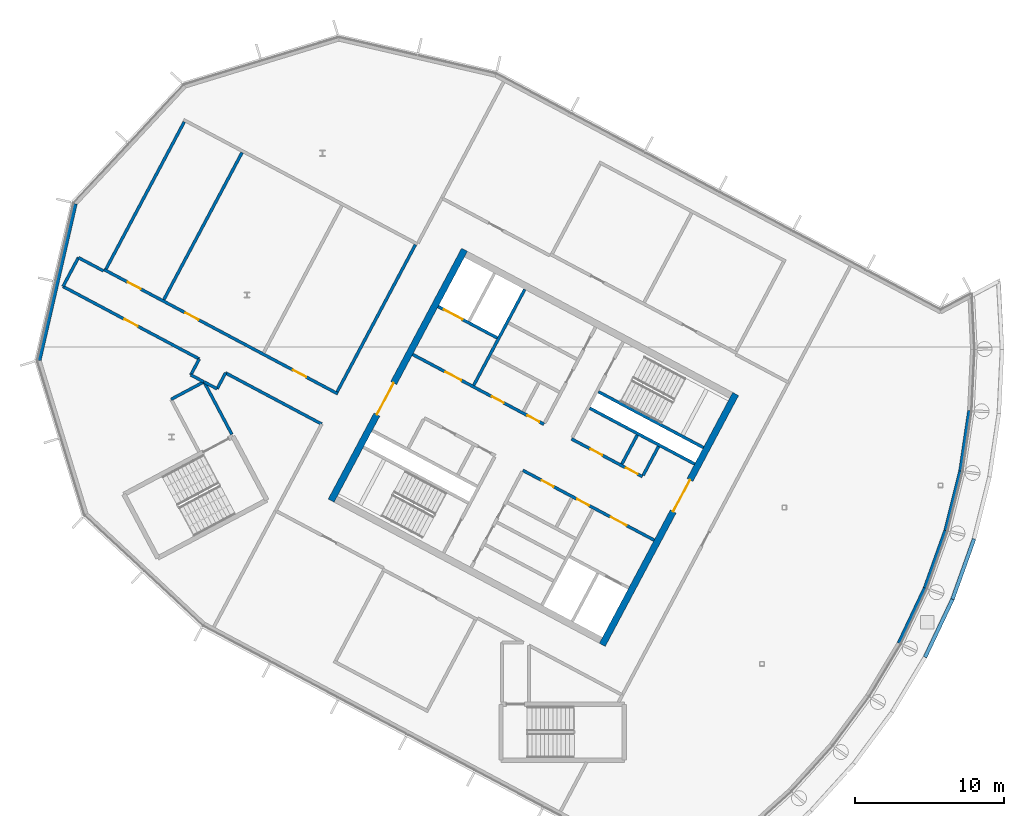
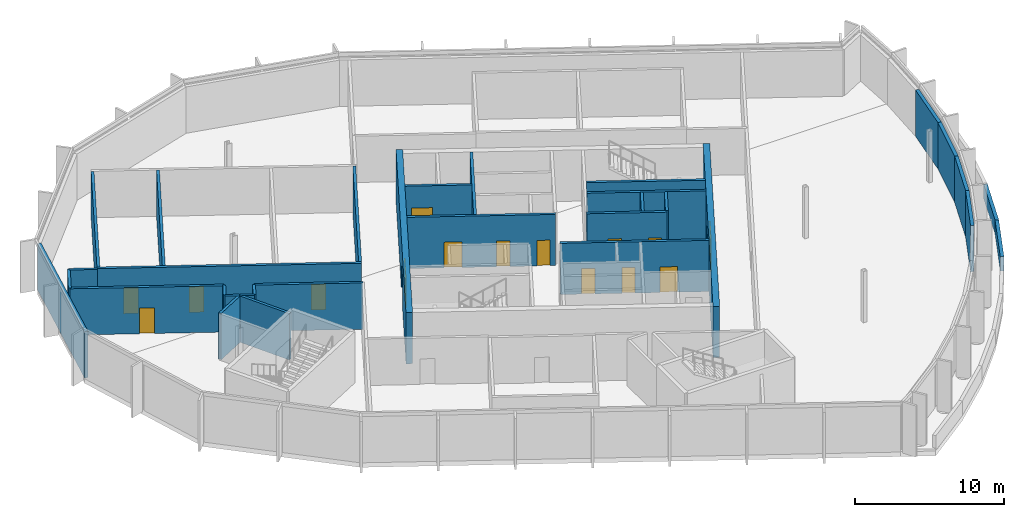
# One storey, part 7 of 15: 32 walls, 15 doors, 15 openings.
"""IFC4 building model written with IfcOpenShell, lengths in metres."""

from ifc_helpers import new_model, si_unit, direction, frame, frame_2d, origin, place, context, subcontext, project, spatial, rectangle, extrude, material, layer, layer_set, type_object, element, fill, save


model = new_model("IFC4")

# Units and contexts
model_context = context("Model", 3, precision=1e-05, world=origin(), true_north=direction((0.0, 1.0)))
body_context = subcontext(model_context, "Body", "Model", "MODEL_VIEW")
ifc_project = project(units=[si_unit("LENGTHUNIT", "METRE"), si_unit("AREAUNIT", "SQUARE_METRE"), si_unit("VOLUMEUNIT", "CUBIC_METRE"), si_unit("PLANEANGLEUNIT", "RADIAN"), si_unit("MASSUNIT", "GRAM", prefix="KILO")], contexts=[model_context])

# Site, building, storey
site_placement = place(None, origin())
site = spatial("IfcSite", under=ifc_project, at=site_placement, CompositionType="ELEMENT")
building_placement = place(site_placement, origin())
building = spatial("IfcBuilding", under=site, at=building_placement, Name="Cormorant Relay Tower", CompositionType="ELEMENT")
storey_placement = place(building_placement, frame((0.0, 0.0, 336.60009765625)))
storey = spatial("IfcBuildingStorey", under=building, at=storey_placement, Name="C3", CompositionType="ELEMENT", Elevation=336.60009765625)

# Walls
ifc_material_1 = material(Name="Concrete 40 MPa", Category="concrete")
ifc_layer_1 = layer(ifc_material_1, 0.199951171875)
ifc_layer_set_1 = layer_set([ifc_layer_1], Name="Core internal wall 200")
wall_type_1 = type_object("IfcWallType", Name="Core internal wall 200", PredefinedType="SOLIDWALL", material=ifc_layer_set_1)
wall_1_placement = place(storey_placement, frame((-20.39013671875, 15.371826171875, 0.0), z_axis=(0.0, 0.0, 1.0), x_axis=(-0.4694473164, -0.882960484464, 0.0)))
element("IfcWall", 1, at=wall_1_placement, inside=storey, type_object=wall_type_1, Name="C3 core A shaft and room wall", PredefinedType="SOLIDWALL", context=body_context, shape_type="SweptSolid", body=[
    extrude(rectangle(XDim=2.199951171875, YDim=0.199951171875, at=frame_2d((1.10009765625, 0.0))), origin(), (0.0, 0.0, 1.0), 4.199951171875),
])
ifc_material_2 = material(Name="Concrete 50 MPa", Category="concrete")
ifc_layer_2 = layer(ifc_material_2, 0.199951171875)
ifc_layer_set_2 = layer_set([ifc_layer_2], Name="Core shaft wall 200")
wall_type_2 = type_object("IfcWallType", Name="Core shaft wall 200", PredefinedType="SHEAR", material=ifc_layer_set_2)
wall_2_placement = place(storey_placement, frame((-18.959716796875, 14.611328125, 0.0), z_axis=(0.0, 0.0, 1.0), x_axis=(-0.4694473164, -0.882960484464, 0.0)))
element("IfcWall", 2, at=wall_2_placement, inside=storey, type_object=wall_type_2, Name="C3 core A shaft wall", PredefinedType="SHEAR", context=body_context, shape_type="SweptSolid", body=[
    extrude(rectangle(XDim=2.199951171875, YDim=0.199951171875, at=frame_2d((1.10009765625, 0.0))), origin(), (0.0, 0.0, 1.0), 4.199951171875),
])
wall_3_placement = place(storey_placement, frame((-27.955322265625, 25.170654296875, 0.0), z_axis=(0.0, 0.0, 1.0), x_axis=(-0.469480409012, -0.88294288918, 0.0)))
element("IfcWall", 3, at=wall_3_placement, inside=storey, type_object=wall_type_2, Name="C3 core A shaft wall", PredefinedType="SHEAR", context=body_context, shape_type="SweptSolid", body=[
    extrude(rectangle(XDim=7.300048828125, YDim=0.199951171875, at=frame_2d((3.64990234375, 0.0))), origin(), (0.0, 0.0, 1.0), 4.199951171875),
])
wall_4_placement = place(storey_placement, frame((-15.94189453125, 14.53564453125, 0.0), z_axis=(0.0, 0.0, 1.0), x_axis=(-0.882946947542, 0.469472776449, 0.0)))
element("IfcWall", 4, at=wall_4_placement, inside=storey, type_object=wall_type_2, Name="C3 core A shaft wall", PredefinedType="SHEAR", context=body_context, shape_type="SweptSolid", body=[
    extrude(rectangle(XDim=8.000244140625, YDim=0.199951171875, at=frame_2d((4.0, 0.0))), origin(), (0.0, 0.0, 1.0), 4.199951171875),
])

# Wall, opening, door
wall_5_placement = place(storey_placement, frame((-29.80419921875, 21.906494140625, 0.0), z_axis=(0.0, 0.0, 1.0), x_axis=(-0.882960433586, 0.469447412093, 0.0)))
wall_5 = element("IfcWall", 5, at=wall_5_placement, inside=storey, type_object=wall_type_2, Name="C3 core A shaft wall", PredefinedType="SHEAR", context=body_context, shape_type="SweptSolid", body=[
    extrude(rectangle(XDim=4.5, YDim=0.199951171875, at=frame_2d((2.25, 0.0))), origin(), (0.0, 0.0, 1.0), 4.199951171875),
])
opening_1_placement = place(wall_5_placement, frame((2.64990234375, 0.0, 0.0)))
opening_1 = element("IfcOpeningElement", 6, at=opening_1_placement, cuts=wall_5, Name="Opening LD3-017", PredefinedType="OPENING", context=body_context, shape_type="SweptSolid", body=[
    extrude(rectangle(XDim=1.39990234375, YDim=2.39990234375, at=frame_2d((0.699951171875, 1.199951171875))), frame((0.0, 0.10986328125, 0.0), z_axis=(0.0, -1.0, 0.0), x_axis=(1.0, 0.0, 0.0)), (0.0, 0.0, 1.0), 0.219970703125),
])
ifc_material_3 = material(Name="Stainless steel 316", Category="steel")
door_type_1 = type_object("IfcDoorType", Name="Lift landing door 1400x2400", OperationType="DOUBLE_DOOR_SLIDING", PredefinedType="DOOR", material=ifc_material_3)
door_1_placement = place(opening_1_placement, origin())
door_1 = element("IfcDoor", 7, at=door_1_placement, inside=storey, type_object=door_type_1, Name="SV1 landing door", OperationType="DOUBLE_DOOR_SLIDING", OverallHeight=2.39990234375, OverallWidth=1.39990234375, PredefinedType="DOOR", context=body_context, shape_type="SweptSolid", body=[
    extrude(rectangle(XDim=1.39990234375, YDim=2.39990234375, at=frame_2d((0.699951171875, 1.199951171875))), frame((0.0, 0.02490234375, 0.0), z_axis=(0.0, -1.0, 0.0), x_axis=(1.0, 0.0, 0.0)), (0.0, 0.0, 1.0), 0.050048828125),
])
fill(opening_1, door_1)

# Wall
wall_6_placement = place(storey_placement, frame((-16.52880859375, 13.43212890625, 0.0), z_axis=(0.0, 0.0, 1.0), x_axis=(-0.88295287151, 0.469461634952, 0.0)))
element("IfcWall", 8, at=wall_6_placement, inside=storey, type_object=wall_type_2, Name="C3 core A shaft wall", PredefinedType="SHEAR", context=body_context, shape_type="SweptSolid", body=[
    extrude(rectangle(XDim=7.999755859375, YDim=0.199951171875, at=frame_2d((4.0, 0.0))), origin(), (0.0, 0.0, 1.0), 4.199951171875),
])

# Wall, openings, doors
wall_7_placement = place(storey_placement, frame((-20.03955078125, 12.58056640625, 0.0), z_axis=(0.0, 0.0, 1.0), x_axis=(-0.882942972946, 0.469480251476, 0.0)))
wall_7 = element("IfcWall", 9, at=wall_7_placement, inside=storey, type_object=wall_type_2, Name="C3 core A shaft wall", PredefinedType="SHEAR", context=body_context, shape_type="SweptSolid", body=[
    extrude(rectangle(XDim=5.39990234375, YDim=0.199951171875, at=frame_2d((2.699951171875, 0.0))), origin(), (0.0, 0.0, 1.0), 4.199951171875),
])
opening_2_placement = place(wall_7_placement, frame((0.360107421875, 0.0, 0.0)))
opening_2 = element("IfcOpeningElement", 10, at=opening_2_placement, cuts=wall_7, Name="Opening CDD-356", PredefinedType="OPENING", context=body_context, shape_type="SweptSolid", body=[
    extrude(rectangle(XDim=0.89990234375, YDim=2.10009765625, at=frame_2d((0.449951171875, 1.050048828125))), frame((0.0, 0.10986328125, 0.0), z_axis=(0.0, -1.0, 0.0), x_axis=(1.0, 0.0, 0.0)), (0.0, 0.0, 1.0), 0.219970703125),
])
opening_3_placement = place(wall_7_placement, frame((3.06005859375, 0.0, 0.0)))
opening_3 = element("IfcOpeningElement", 11, at=opening_3_placement, cuts=wall_7, Name="Opening CDD-357", PredefinedType="OPENING", context=body_context, shape_type="SweptSolid", body=[
    extrude(rectangle(XDim=0.89990234375, YDim=2.10009765625, at=frame_2d((0.449951171875, 1.050048828125))), frame((0.0, 0.10986328125, 0.0), z_axis=(0.0, -1.0, 0.0), x_axis=(1.0, 0.0, 0.0)), (0.0, 0.0, 1.0), 0.219970703125),
])
ifc_material_4 = material(Name="Steel fire door", Category="steel")
door_type_2 = type_object("IfcDoorType", Name="Core room door 900x2100", OperationType="SINGLE_SWING_LEFT", PredefinedType="DOOR", material=ifc_material_4)
door_2_placement = place(opening_2_placement, frame((0.89990234375, 0.0, 0.0), z_axis=(0.0, 0.0, 1.0), x_axis=(-1.0, 0.0, 0.0)))
door_2 = element("IfcDoor", 12, at=door_2_placement, inside=storey, type_object=door_type_2, Name="Core room door 900x2100", OperationType="SINGLE_SWING_RIGHT", OverallHeight=2.10009765625, OverallWidth=0.89990234375, PredefinedType="DOOR", context=body_context, shape_type="SweptSolid", body=[
    extrude(rectangle(XDim=0.89990234375, YDim=2.10009765625, at=frame_2d((0.449951171875, 1.050048828125))), frame((0.0, 0.02490234375, 0.0), z_axis=(0.0, -1.0, 0.0), x_axis=(1.0, 0.0, 0.0)), (0.0, 0.0, 1.0), 0.050048828125),
])
fill(opening_2, door_2)
door_3_placement = place(opening_3_placement, frame((0.89990234375, 0.0, 0.0), z_axis=(0.0, 0.0, 1.0), x_axis=(-1.0, 0.0, 0.0)))
door_3 = element("IfcDoor", 13, at=door_3_placement, inside=storey, type_object=door_type_2, Name="Core room door 900x2100", OperationType="SINGLE_SWING_RIGHT", OverallHeight=2.10009765625, OverallWidth=0.89990234375, PredefinedType="DOOR", context=body_context, shape_type="SweptSolid", body=[
    extrude(rectangle(XDim=0.89990234375, YDim=2.10009765625, at=frame_2d((0.449951171875, 1.050048828125))), frame((0.0, 0.02490234375, 0.0), z_axis=(0.0, -1.0, 0.0), x_axis=(1.0, 0.0, 0.0)), (0.0, 0.0, 1.0), 0.050048828125),
])
fill(opening_3, door_3)

wall_8_placement = place(storey_placement, frame((-26.66162109375, 16.1015625, 0.0), z_axis=(0.0, 0.0, 1.0), x_axis=(-0.882940221191, 0.469485426614, 0.0)))
wall_8 = element("IfcWall", 14, at=wall_8_placement, inside=storey, type_object=wall_type_2, Name="C3 core A shaft wall", PredefinedType="SHEAR", context=body_context, shape_type="SweptSolid", body=[
    extrude(rectangle(XDim=10.0, YDim=0.199951171875, at=frame_2d((5.0, 0.0))), origin(), (0.0, 0.0, 1.0), 4.199951171875),
])
opening_4_placement = place(wall_8_placement, frame((6.300048828125, 0.0, 0.0)))
opening_4 = element("IfcOpeningElement", 15, at=opening_4_placement, cuts=wall_8, Name="Opening CDC-041", PredefinedType="OPENING", context=body_context, shape_type="SweptSolid", body=[
    extrude(rectangle(XDim=1.199951171875, YDim=2.10009765625, at=frame_2d((0.60009765625, 1.050048828125))), frame((0.0, 0.10986328125, 0.0), z_axis=(0.0, -1.0, 0.0), x_axis=(1.0, 0.0, 0.0)), (0.0, 0.0, 1.0), 0.219970703125),
])
opening_5_placement = place(wall_8_placement, frame((0.360107421875, 0.0, 0.0)))
opening_5 = element("IfcOpeningElement", 16, at=opening_5_placement, cuts=wall_8, Name="Opening CDD-375", PredefinedType="OPENING", context=body_context, shape_type="SweptSolid", body=[
    extrude(rectangle(XDim=0.89990234375, YDim=2.10009765625, at=frame_2d((0.449951171875, 1.050048828125))), frame((0.0, 0.10986328125, 0.0), z_axis=(0.0, -1.0, 0.0), x_axis=(1.0, 0.0, 0.0)), (0.0, 0.0, 1.0), 0.219970703125),
])
opening_6_placement = place(wall_8_placement, frame((3.06005859375, 0.0, 0.0)))
opening_6 = element("IfcOpeningElement", 17, at=opening_6_placement, cuts=wall_8, Name="Opening CDD-376", PredefinedType="OPENING", context=body_context, shape_type="SweptSolid", body=[
    extrude(rectangle(XDim=0.89990234375, YDim=2.10009765625, at=frame_2d((0.449951171875, 1.050048828125))), frame((0.0, 0.10986328125, 0.0), z_axis=(0.0, -1.0, 0.0), x_axis=(1.0, 0.0, 0.0)), (0.0, 0.0, 1.0), 0.219970703125),
])
ifc_material_5 = material(Name="Steel fire door", Category="steel")
door_type_3 = type_object("IfcDoorType", Name="Core lobby door 1200x2100", OperationType="SINGLE_SWING_LEFT", PredefinedType="DOOR", material=ifc_material_5)
door_4_placement = place(opening_4_placement, origin())
door_4 = element("IfcDoor", 18, at=door_4_placement, inside=storey, type_object=door_type_3, Name="Core lobby door 1200x2100", OperationType="SINGLE_SWING_LEFT", OverallHeight=2.10009765625, OverallWidth=1.199951171875, PredefinedType="DOOR", context=body_context, shape_type="SweptSolid", body=[
    extrude(rectangle(XDim=1.199951171875, YDim=2.10009765625, at=frame_2d((0.60009765625, 1.050048828125))), frame((0.0, 0.02490234375, 0.0), z_axis=(0.0, -1.0, 0.0), x_axis=(1.0, 0.0, 0.0)), (0.0, 0.0, 1.0), 0.050048828125),
])
fill(opening_4, door_4)
door_5_placement = place(opening_5_placement, frame((0.89990234375, 0.0, 0.0), z_axis=(0.0, 0.0, 1.0), x_axis=(-1.0, 0.0, 0.0)))
door_5 = element("IfcDoor", 19, at=door_5_placement, inside=storey, type_object=door_type_2, Name="Core room door 900x2100", OperationType="SINGLE_SWING_RIGHT", OverallHeight=2.10009765625, OverallWidth=0.89990234375, PredefinedType="DOOR", context=body_context, shape_type="SweptSolid", body=[
    extrude(rectangle(XDim=0.89990234375, YDim=2.10009765625, at=frame_2d((0.449951171875, 1.050048828125))), frame((0.0, 0.02490234375, 0.0), z_axis=(0.0, -1.0, 0.0), x_axis=(1.0, 0.0, 0.0)), (0.0, 0.0, 1.0), 0.050048828125),
])
fill(opening_5, door_5)
door_6_placement = place(opening_6_placement, origin())
door_6 = element("IfcDoor", 20, at=door_6_placement, inside=storey, type_object=door_type_2, Name="Core room door 900x2100", OperationType="SINGLE_SWING_LEFT", OverallHeight=2.10009765625, OverallWidth=0.89990234375, PredefinedType="DOOR", context=body_context, shape_type="SweptSolid", body=[
    extrude(rectangle(XDim=0.89990234375, YDim=2.10009765625, at=frame_2d((0.449951171875, 1.050048828125))), frame((0.0, 0.02490234375, 0.0), z_axis=(0.0, -1.0, 0.0), x_axis=(1.0, 0.0, 0.0)), (0.0, 0.0, 1.0), 0.050048828125),
])
fill(opening_6, door_6)

wall_9_placement = place(storey_placement, frame((-19.251708984375, 8.31103515625, 0.0), z_axis=(0.0, 0.0, 1.0), x_axis=(-0.882955722218, 0.469456273365, 0.0)))
wall_9 = element("IfcWall", 21, at=wall_9_placement, inside=storey, type_object=wall_type_2, Name="C3 core A shaft wall", PredefinedType="SHEAR", context=body_context, shape_type="SweptSolid", body=[
    extrude(rectangle(XDim=10.0, YDim=0.199951171875, at=frame_2d((5.0, 0.0))), origin(), (0.0, 0.0, 1.0), 4.199951171875),
])
opening_7_placement = place(wall_9_placement, frame((2.10009765625, 0.0, 0.0)))
opening_7 = element("IfcOpeningElement", 22, at=opening_7_placement, cuts=wall_9, Name="Opening CDC-040", PredefinedType="OPENING", context=body_context, shape_type="SweptSolid", body=[
    extrude(rectangle(XDim=1.199951171875, YDim=2.10009765625, at=frame_2d((0.60009765625, 1.050048828125))), frame((0.0, 0.10986328125, 0.0), z_axis=(0.0, -1.0, 0.0), x_axis=(1.0, 0.0, 0.0)), (0.0, 0.0, 1.0), 0.219970703125),
])
opening_8_placement = place(wall_9_placement, frame((4.9599609375, 0.0, 0.0)))
opening_8 = element("IfcOpeningElement", 23, at=opening_8_placement, cuts=wall_9, Name="Opening CDD-372", PredefinedType="OPENING", context=body_context, shape_type="SweptSolid", body=[
    extrude(rectangle(XDim=0.89990234375, YDim=2.10009765625, at=frame_2d((0.449951171875, 1.050048828125))), frame((0.0, 0.10986328125, 0.0), z_axis=(0.0, -1.0, 0.0), x_axis=(1.0, 0.0, 0.0)), (0.0, 0.0, 1.0), 0.219970703125),
])
opening_9_placement = place(wall_9_placement, frame((7.659912109375, 0.0, 0.0)))
opening_9 = element("IfcOpeningElement", 24, at=opening_9_placement, cuts=wall_9, Name="Opening CDD-373", PredefinedType="OPENING", context=body_context, shape_type="SweptSolid", body=[
    extrude(rectangle(XDim=0.89990234375, YDim=2.10009765625, at=frame_2d((0.449951171875, 1.050048828125))), frame((0.0, 0.10986328125, 0.0), z_axis=(0.0, -1.0, 0.0), x_axis=(1.0, 0.0, 0.0)), (0.0, 0.0, 1.0), 0.219970703125),
])
door_7_placement = place(opening_7_placement, origin())
door_7 = element("IfcDoor", 25, at=door_7_placement, inside=storey, type_object=door_type_3, Name="Core lobby door 1200x2100", OperationType="SINGLE_SWING_RIGHT", OverallHeight=2.10009765625, OverallWidth=1.199951171875, PredefinedType="DOOR", context=body_context, shape_type="SweptSolid", body=[
    extrude(rectangle(XDim=1.199951171875, YDim=2.10009765625, at=frame_2d((0.60009765625, 1.050048828125))), frame((0.0, 0.02490234375, 0.0), z_axis=(0.0, -1.0, 0.0), x_axis=(1.0, 0.0, 0.0)), (0.0, 0.0, 1.0), 0.050048828125),
])
fill(opening_7, door_7)
door_8_placement = place(opening_8_placement, origin())
door_8 = element("IfcDoor", 26, at=door_8_placement, inside=storey, type_object=door_type_2, Name="Core room door 900x2100", OperationType="SINGLE_SWING_LEFT", OverallHeight=2.10009765625, OverallWidth=0.89990234375, PredefinedType="DOOR", context=body_context, shape_type="SweptSolid", body=[
    extrude(rectangle(XDim=0.89990234375, YDim=2.10009765625, at=frame_2d((0.449951171875, 1.050048828125))), frame((0.0, 0.02490234375, 0.0), z_axis=(0.0, -1.0, 0.0), x_axis=(1.0, 0.0, 0.0)), (0.0, 0.0, 1.0), 0.050048828125),
])
fill(opening_8, door_8)
door_9_placement = place(opening_9_placement, origin())
door_9 = element("IfcDoor", 27, at=door_9_placement, inside=storey, type_object=door_type_2, Name="Core room door 900x2100", OperationType="SINGLE_SWING_LEFT", OverallHeight=2.10009765625, OverallWidth=0.89990234375, PredefinedType="DOOR", context=body_context, shape_type="SweptSolid", body=[
    extrude(rectangle(XDim=0.89990234375, YDim=2.10009765625, at=frame_2d((0.449951171875, 1.050048828125))), frame((0.0, 0.02490234375, 0.0), z_axis=(0.0, -1.0, 0.0), x_axis=(1.0, 0.0, 0.0)), (0.0, 0.0, 1.0), 0.050048828125),
])
fill(opening_9, door_9)

# Wall, opening, door
ifc_material_6 = material(Name="Concrete 50 MPa", Category="concrete")
ifc_layer_3 = layer(ifc_material_6, 0.449951171875)
ifc_layer_set_3 = layer_set([ifc_layer_3], Name="Core wall 450")
wall_type_3 = type_object("IfcWallType", Name="Core wall 450", PredefinedType="SHEAR", material=ifc_layer_set_3)
wall_10_placement = place(storey_placement, frame((-13.771484375, 18.138427734375, 0.0), z_axis=(0.0, 0.0, 1.0), x_axis=(-0.469467968382, -0.882949504028, 0.0)))
wall_10 = element("IfcWall", 28, at=wall_10_placement, inside=storey, type_object=wall_type_3, Name="C3 core A wall", PredefinedType="SHEAR", context=body_context, shape_type="SweptSolid", body=[
    extrude(rectangle(XDim=19.099853515625, YDim=0.449951171875, at=frame_2d((9.5498046875, 0.0))), origin(), (0.0, 0.0, 1.0), 4.199951171875),
])
opening_10_placement = place(wall_10_placement, frame((6.550048828125, 0.0, 0.0)))
opening_10 = element("IfcOpeningElement", 29, at=opening_10_placement, cuts=wall_10, Name="Opening CDA-060", PredefinedType="OPENING", context=body_context, shape_type="SweptSolid", body=[
    extrude(rectangle(XDim=2.39990234375, YDim=2.39990234375, at=frame_2d((1.199951171875, 1.199951171875))), frame((0.0, 0.23486328125, 0.0), z_axis=(0.0, -1.0, 0.0), x_axis=(1.0, 0.0, 0.0)), (0.0, 0.0, 1.0), 0.469970703125),
])
ifc_material_7 = material(Name="Steel fire door", Category="steel")
door_type_4 = type_object("IfcDoorType", Name="Core lobby door 2400x2400", OperationType="DOUBLE_DOOR_SINGLE_SWING", PredefinedType="DOOR", material=ifc_material_7)
door_10_placement = place(opening_10_placement, origin())
door_10 = element("IfcDoor", 30, at=door_10_placement, inside=storey, type_object=door_type_4, Name="Core lobby door 2400x2400", OperationType="DOUBLE_DOOR_SINGLE_SWING", OverallHeight=2.39990234375, OverallWidth=2.39990234375, PredefinedType="DOOR", context=body_context, shape_type="SweptSolid", body=[
    extrude(rectangle(XDim=2.39990234375, YDim=2.39990234375, at=frame_2d((1.199951171875, 1.199951171875))), frame((0.0, 0.02490234375, 0.0), z_axis=(0.0, -1.0, 0.0), x_axis=(1.0, 0.0, 0.0)), (0.0, 0.0, 1.0), 0.050048828125),
])
fill(opening_10, door_10)

wall_11_placement = place(storey_placement, frame((-32.00439453125, 27.8330078125, 0.0), z_axis=(0.0, 0.0, 1.0), x_axis=(-0.469467968382, -0.882949504028, 0.0)))
wall_11 = element("IfcWall", 31, at=wall_11_placement, inside=storey, type_object=wall_type_3, Name="C3 core A wall", PredefinedType="SHEAR", context=body_context, shape_type="SweptSolid", body=[
    extrude(rectangle(XDim=19.099853515625, YDim=0.449951171875, at=frame_2d((9.5498046875, 0.0))), origin(), (0.0, 0.0, 1.0), 4.199951171875),
])
opening_11_placement = place(wall_11_placement, frame((10.14990234375, 0.0, 0.0)))
opening_11 = element("IfcOpeningElement", 32, at=opening_11_placement, cuts=wall_11, Name="Opening CDA-059", PredefinedType="OPENING", context=body_context, shape_type="SweptSolid", body=[
    extrude(rectangle(XDim=2.39990234375, YDim=2.39990234375, at=frame_2d((1.199951171875, 1.199951171875))), frame((0.0, 0.23486328125, 0.0), z_axis=(0.0, -1.0, 0.0), x_axis=(1.0, 0.0, 0.0)), (0.0, 0.0, 1.0), 0.469970703125),
])
door_11_placement = place(opening_11_placement, origin())
door_11 = element("IfcDoor", 33, at=door_11_placement, inside=storey, type_object=door_type_4, Name="Core lobby door 2400x2400", OperationType="DOUBLE_DOOR_SINGLE_SWING", OverallHeight=2.39990234375, OverallWidth=2.39990234375, PredefinedType="DOOR", context=body_context, shape_type="SweptSolid", body=[
    extrude(rectangle(XDim=2.39990234375, YDim=2.39990234375, at=frame_2d((1.199951171875, 1.199951171875))), frame((0.0, 0.02490234375, 0.0), z_axis=(0.0, -1.0, 0.0), x_axis=(1.0, 0.0, 0.0)), (0.0, 0.0, 1.0), 0.050048828125),
])
fill(opening_11, door_11)

# Wall, openings, doors
ifc_material_8 = material(Name="Concrete 30 MPa block wall", Category="concrete")
ifc_layer_4 = layer(ifc_material_8, 0.199951171875)
ifc_layer_set_4 = layer_set([ifc_layer_4], Name="Crown plant room wall 200")
wall_type_4 = type_object("IfcWallType", Name="Crown plant room wall 200", PredefinedType="PARTITIONING", material=ifc_layer_set_4)
wall_12_placement = place(storey_placement, frame((-40.52294921875, 18.148681640625, 0.0), z_axis=(0.0, 0.0, 1.0), x_axis=(-0.882946425434, 0.469473758387, 0.0)))
wall_12 = element("IfcWall", 34, at=wall_12_placement, inside=storey, type_object=wall_type_4, Name="Plant room wall", PredefinedType="PARTITIONING", context=body_context, shape_type="SweptSolid", body=[
    extrude(rectangle(XDim=17.800048828125, YDim=0.199951171875, at=frame_2d((8.89990234375, 0.0))), origin(), (0.0, 0.0, 1.0), 3.7998046875),
])
opening_12_placement = place(wall_12_placement, frame((2.39990234375, 0.0, 0.0)))
opening_12 = element("IfcOpeningElement", 35, at=opening_12_placement, cuts=wall_12, Name="Opening CRD1-003", PredefinedType="OPENING", context=body_context, shape_type="SweptSolid", body=[
    extrude(rectangle(XDim=1.0, YDim=2.10009765625, at=frame_2d((0.5, 1.050048828125))), frame((0.0, 0.10986328125, 0.0), z_axis=(0.0, -1.0, 0.0), x_axis=(1.0, 0.0, 0.0)), (0.0, 0.0, 1.0), 0.219970703125),
])
opening_13_placement = place(wall_12_placement, frame((10.60009765625, 0.0, 0.0)))
opening_13 = element("IfcOpeningElement", 36, at=opening_13_placement, cuts=wall_12, Name="Opening CRD1-004", PredefinedType="OPENING", context=body_context, shape_type="SweptSolid", body=[
    extrude(rectangle(XDim=1.0, YDim=2.10009765625, at=frame_2d((0.5, 1.050048828125))), frame((0.0, 0.10986328125, 0.0), z_axis=(0.0, -1.0, 0.0), x_axis=(1.0, 0.0, 0.0)), (0.0, 0.0, 1.0), 0.219970703125),
])
opening_14_placement = place(wall_12_placement, frame((15.0, 0.0, 0.0)))
opening_14 = element("IfcOpeningElement", 37, at=opening_14_placement, cuts=wall_12, Name="Opening CRD1-005", PredefinedType="OPENING", context=body_context, shape_type="SweptSolid", body=[
    extrude(rectangle(XDim=1.0, YDim=2.10009765625, at=frame_2d((0.5, 1.050048828125))), frame((0.0, 0.10986328125, 0.0), z_axis=(0.0, -1.0, 0.0), x_axis=(1.0, 0.0, 0.0)), (0.0, 0.0, 1.0), 0.219970703125),
])
ifc_material_9 = material(Name="Galvanised sheet steel ASTM A653 framed door leaf", Category="steel")
door_type_5 = type_object("IfcDoorType", Name="Crown door single 1000", OperationType="SINGLE_SWING_LEFT", PredefinedType="DOOR", material=ifc_material_9)
door_12_placement = place(opening_12_placement, frame((1.0, 0.0, 0.0), z_axis=(0.0, 0.0, 1.0), x_axis=(-1.0, 0.0, 0.0)))
door_12 = element("IfcDoor", 38, at=door_12_placement, inside=storey, type_object=door_type_5, Name="Radio frequency room door", OperationType="SINGLE_SWING_RIGHT", OverallHeight=2.10009765625, OverallWidth=1.0, PredefinedType="DOOR", context=body_context, shape_type="SweptSolid", body=[
    extrude(rectangle(XDim=1.0, YDim=2.10009765625, at=frame_2d((0.5, 1.050048828125))), frame((0.0, 0.02490234375, 0.0), z_axis=(0.0, -1.0, 0.0), x_axis=(1.0, 0.0, 0.0)), (0.0, 0.0, 1.0), 0.050048828125),
])
fill(opening_12, door_12)
door_13_placement = place(opening_13_placement, frame((1.0, 0.0, 0.0), z_axis=(0.0, 0.0, 1.0), x_axis=(-1.0, 0.0, 0.0)))
door_13 = element("IfcDoor", 39, at=door_13_placement, inside=storey, type_object=door_type_5, Name="Telecom equipment room door", OperationType="SINGLE_SWING_RIGHT", OverallHeight=2.10009765625, OverallWidth=1.0, PredefinedType="DOOR", context=body_context, shape_type="SweptSolid", body=[
    extrude(rectangle(XDim=1.0, YDim=2.10009765625, at=frame_2d((0.5, 1.050048828125))), frame((0.0, 0.02490234375, 0.0), z_axis=(0.0, -1.0, 0.0), x_axis=(1.0, 0.0, 0.0)), (0.0, 0.0, 1.0), 0.050048828125),
])
fill(opening_13, door_13)
door_14_placement = place(opening_14_placement, frame((1.0, 0.0, 0.0), z_axis=(0.0, 0.0, 1.0), x_axis=(-1.0, 0.0, 0.0)))
door_14 = element("IfcDoor", 40, at=door_14_placement, inside=storey, type_object=door_type_5, Name="Carrier equipment room door", OperationType="SINGLE_SWING_RIGHT", OverallHeight=2.10009765625, OverallWidth=1.0, PredefinedType="DOOR", context=body_context, shape_type="SweptSolid", body=[
    extrude(rectangle(XDim=1.0, YDim=2.10009765625, at=frame_2d((0.5, 1.050048828125))), frame((0.0, 0.02490234375, 0.0), z_axis=(0.0, -1.0, 0.0), x_axis=(1.0, 0.0, 0.0)), (0.0, 0.0, 1.0), 0.050048828125),
])
fill(opening_14, door_14)

# Walls
wall_13_placement = place(storey_placement, frame((-35.306396484375, 28.173095703125, 0.0), z_axis=(0.0, 0.0, 1.0), x_axis=(-0.469447393298, -0.882960443579, 0.0)))
element("IfcWall", 41, at=wall_13_placement, inside=storey, type_object=wall_type_4, Name="Plant room wall", PredefinedType="PARTITIONING", context=body_context, shape_type="SweptSolid", body=[
    extrude(rectangle(XDim=11.199951171875, YDim=0.199951171875, at=frame_2d((5.60009765625, 0.0))), origin(), (0.0, 0.0, 1.0), 3.7998046875),
])
for number, where, z_axis, x_axis, name in (
    (42, (-46.961181640625, 34.3701171875, 0.0), (0.0, 0.0, 1.0), (-0.46946438738, -0.882951408052, 0.0), "Plant room wall"),
    (43, (-50.84619140625, 36.435791015625, 0.0), (0.0, 0.0, 1.0), (-0.46946438738, -0.882951408052, 0.0), "Plant room wall"),
):
    element("IfcWall", number, at=place(storey_placement, frame(where, z_axis=z_axis, x_axis=x_axis)), inside=storey, type_object=wall_type_4, Name=name, PredefinedType="PARTITIONING", context=body_context, shape_type="SweptSolid", body=[
        extrude(rectangle(XDim=11.2001953125, YDim=0.199951171875, at=frame_2d((5.60009765625, 0.0))), origin(), (0.0, 0.0, 1.0), 3.7998046875),
    ])
wall_14_placement = place(storey_placement, frame((-57.964111328125, 27.30908203125, 0.0), z_axis=(0.0, 0.0, 1.0), x_axis=(0.882957622595, -0.46945269911, 0.0)))
element("IfcWall", 44, at=wall_14_placement, inside=storey, type_object=wall_type_4, Name="Plant room wall", PredefinedType="PARTITIONING", context=body_context, shape_type="SweptSolid", body=[
    extrude(rectangle(XDim=1.919921875, YDim=0.199951171875, at=frame_2d((0.9599609375, 0.0))), origin(), (0.0, 0.0, 1.0), 3.7998046875),
])
wall_15_placement = place(storey_placement, frame((-41.604736328125, 16.114501953125, 0.0), z_axis=(0.0, 0.0, 1.0), x_axis=(-0.88269432005, 0.469947590006, 0.0)))
element("IfcWall", 45, at=wall_15_placement, inside=storey, type_object=wall_type_4, Name="Plant room wall", PredefinedType="PARTITIONING", context=body_context, shape_type="SweptSolid", body=[
    extrude(rectangle(XDim=7.31982421875, YDim=0.199951171875, at=frame_2d((3.659912109375, 0.0))), origin(), (0.0, 0.0, 1.0), 3.7998046875),
])
wall_16_placement = place(storey_placement, frame((-48.06591796875, 19.554443359375, 0.0), z_axis=(0.0, 0.0, 1.0), x_axis=(-0.472372077366, -0.881399240143, 0.0)))
element("IfcWall", 46, at=wall_16_placement, inside=storey, type_object=wall_type_4, Name="Plant room wall", PredefinedType="PARTITIONING", context=body_context, shape_type="SweptSolid", body=[
    extrude(rectangle(XDim=1.214111328125, YDim=0.199951171875, at=frame_2d((0.60693359375, 0.0))), origin(), (0.0, 0.0, 1.0), 3.7998046875),
])
wall_17_placement = place(storey_placement, frame((-48.639404296875, 18.484375, 0.0), z_axis=(0.0, 0.0, 1.0), x_axis=(-0.883070878111, 0.469239623467, 0.0)))
element("IfcWall", 47, at=wall_17_placement, inside=storey, type_object=wall_type_4, Name="Plant room wall", PredefinedType="PARTITIONING", context=body_context, shape_type="SweptSolid", body=[
    extrude(rectangle(XDim=0.987060546875, YDim=0.199951171875, at=frame_2d((0.49365234375, 0.0))), origin(), (0.0, 0.0, 1.0), 3.7998046875),
])
wall_18_placement = place(storey_placement, frame((-49.510986328125, 18.947509765625, 0.0), z_axis=(0.0, 0.0, 1.0), x_axis=(0.467853974405, -0.883805781059, 0.0)))
element("IfcWall", 48, at=wall_18_placement, inside=storey, type_object=wall_type_4, Name="Plant room wall", PredefinedType="PARTITIONING", context=body_context, shape_type="SweptSolid", body=[
    extrude(rectangle(XDim=3.98876953125, YDim=0.199951171875, at=frame_2d((1.994384765625, 0.0))), origin(), (0.0, 0.0, 1.0), 3.7998046875),
])
wall_19_placement = place(storey_placement, frame((-51.729736328125, 17.77978515625, 0.0), z_axis=(0.0, 0.0, 1.0), x_axis=(0.882878437933, 0.469601601182, 0.0)))
element("IfcWall", 49, at=wall_19_placement, inside=storey, type_object=wall_type_4, Name="Plant room wall", PredefinedType="PARTITIONING", context=body_context, shape_type="SweptSolid", body=[
    extrude(rectangle(XDim=2.492431640625, YDim=0.199951171875, at=frame_2d((1.24609375, 0.0))), origin(), (0.0, 0.0, 1.0), 3.7998046875),
])
wall_20_placement = place(storey_placement, frame((-49.529296875, 18.9501953125, 0.0), z_axis=(0.0, 0.0, 1.0), x_axis=(-0.880014039158, 0.474947671733, 0.0)))
element("IfcWall", 50, at=wall_20_placement, inside=storey, type_object=wall_type_4, Name="Plant room wall", PredefinedType="PARTITIONING", context=body_context, shape_type="SweptSolid", body=[
    extrude(rectangle(XDim=0.99560546875, YDim=0.199951171875, at=frame_2d((0.497802734375, 0.0))), origin(), (0.0, 0.0, 1.0), 3.7998046875),
])
wall_21_placement = place(storey_placement, frame((-50.405517578125, 19.423095703125, 0.0), z_axis=(0.0, 0.0, 1.0), x_axis=(0.469425611223, 0.882972024204, 0.0)))
element("IfcWall", 51, at=wall_21_placement, inside=storey, type_object=wall_type_4, Name="Plant room wall", PredefinedType="PARTITIONING", context=body_context, shape_type="SweptSolid", body=[
    extrude(rectangle(XDim=1.210205078125, YDim=0.199951171875, at=frame_2d((0.60498046875, 0.0))), origin(), (0.0, 0.0, 1.0), 3.7998046875),
])

# Wall, opening, door
wall_22_placement = place(storey_placement, frame((-49.83740234375, 20.49169921875, 0.0), z_axis=(0.0, 0.0, 1.0), x_axis=(-0.882753842136, 0.469835773643, 0.0)))
wall_22 = element("IfcWall", 52, at=wall_22_placement, inside=storey, type_object=wall_type_4, Name="Plant room wall", PredefinedType="PARTITIONING", context=body_context, shape_type="SweptSolid", body=[
    extrude(rectangle(XDim=10.3759765625, YDim=0.199951171875, at=frame_2d((5.18798828125, 0.0))), origin(), (0.0, 0.0, 1.0), 3.7998046875),
])
opening_15_placement = place(wall_22_placement, frame((4.68798828125, 0.0, 0.0)))
opening_15 = element("IfcOpeningElement", 53, at=opening_15_placement, cuts=wall_22, Name="Opening CRD1-007", PredefinedType="OPENING", context=body_context, shape_type="SweptSolid", body=[
    extrude(rectangle(XDim=1.0, YDim=2.10009765625, at=frame_2d((0.5, 1.050048828125))), frame((0.0, 0.10986328125, 0.0), z_axis=(0.0, -1.0, 0.0), x_axis=(1.0, 0.0, 0.0)), (0.0, 0.0, 1.0), 0.219970703125),
])
door_15_placement = place(opening_15_placement, origin())
door_15 = element("IfcDoor", 54, at=door_15_placement, inside=storey, type_object=door_type_5, Name="Equipment hall door", OperationType="SINGLE_SWING_LEFT", OverallHeight=2.10009765625, OverallWidth=1.0, PredefinedType="DOOR", context=body_context, shape_type="SweptSolid", body=[
    extrude(rectangle(XDim=1.0, YDim=2.10009765625, at=frame_2d((0.5, 1.050048828125))), frame((0.0, 0.02490234375, 0.0), z_axis=(0.0, -1.0, 0.0), x_axis=(1.0, 0.0, 0.0)), (0.0, 0.0, 1.0), 0.050048828125),
])
fill(opening_15, door_15)

# Walls
wall_23_placement = place(storey_placement, frame((-58.996826171875, 25.36669921875, 0.0), z_axis=(0.0, 0.0, 1.0), x_axis=(0.4694473164, 0.882960484464, 0.0)))
element("IfcWall", 55, at=wall_23_placement, inside=storey, type_object=wall_type_4, Name="Plant room wall", PredefinedType="PARTITIONING", context=body_context, shape_type="SweptSolid", body=[
    extrude(rectangle(XDim=2.199951171875, YDim=0.199951171875, at=frame_2d((1.10009765625, 0.0))), origin(), (0.0, 0.0, 1.0), 3.7998046875),
])
ifc_material_10 = material(Name="Bronze cladding on Concrete 30 MPa block wall", Category="concrete")
ifc_layer_5 = layer(ifc_material_10, 0.25)
ifc_layer_set_5 = layer_set([ifc_layer_5], Name="Crown wall 250")
wall_type_5 = type_object("IfcWallType", Name="Crown wall 250", PredefinedType="STANDARD", material=ifc_layer_set_5)
wall_24_placement = place(storey_placement, frame((-60.590576171875, 20.397705078125, 0.0), z_axis=(0.0, 0.0, 1.0), x_axis=(0.224943678254, 0.97437176766, 0.0)))
element("IfcWall", 56, at=wall_24_placement, inside=storey, type_object=wall_type_5, Name="Crown wall C3", PredefinedType="STANDARD", context=body_context, shape_type="SweptSolid", body=[
    extrude(rectangle(XDim=10.803466796875, YDim=0.25, at=frame_2d((5.40185546875, 0.0))), origin(), (0.0, 0.0, 1.0), 3.7998046875),
])
wall_25_placement = place(storey_placement, frame((1.940673828125, 17.021728515625, 0.0), z_axis=(0.0, 0.0, 1.0), x_axis=(-0.1467424382, -0.989174735237, 0.0)))
element("IfcWall", 57, at=wall_25_placement, inside=storey, type_object=wall_type_5, Name="Crown wall C3", PredefinedType="STANDARD", context=body_context, shape_type="SweptSolid", body=[
    extrude(rectangle(XDim=4.109375, YDim=0.25, at=frame_2d((2.0546875, 0.0))), origin(), (0.0, 0.0, 1.0), 3.7998046875),
])
wall_26_placement = place(storey_placement, frame((1.337646484375, 12.956787109375, 0.0), z_axis=(0.0, 0.0, 1.0), x_axis=(-0.24299691781, -0.970027060414, 0.0)))
element("IfcWall", 58, at=wall_26_placement, inside=storey, type_object=wall_type_5, Name="Crown wall C3", PredefinedType="STANDARD", context=body_context, shape_type="SweptSolid", body=[
    extrude(rectangle(XDim=4.109130859375, YDim=0.25, at=frame_2d((2.0546875, 0.0))), origin(), (0.0, 0.0, 1.0), 3.7998046875),
])
wall_27_placement = place(storey_placement, frame((0.339111328125, 8.970703125, 0.0), z_axis=(0.0, 0.0, 1.0), x_axis=(-0.336897074906, -0.941541481253, 0.0)))
element("IfcWall", 59, at=wall_27_placement, inside=storey, type_object=wall_type_5, Name="Crown wall C3", PredefinedType="STANDARD", context=body_context, shape_type="SweptSolid", body=[
    extrude(rectangle(XDim=4.109619140625, YDim=0.25, at=frame_2d((2.0546875, 0.0))), origin(), (0.0, 0.0, 1.0), 3.7998046875),
])
wall_28_placement = place(storey_placement, frame((-1.04541015625, 5.101318359375, 0.0), z_axis=(0.0, 0.0, 1.0), x_axis=(-0.427547370259, -0.903992945871, 0.0)))
element("IfcWall", 60, at=wall_28_placement, inside=storey, type_object=wall_type_5, Name="Crown wall C3", PredefinedType="STANDARD", context=body_context, shape_type="SweptSolid", body=[
    extrude(rectangle(XDim=4.109130859375, YDim=0.25, at=frame_2d((2.0546875, 0.0))), origin(), (0.0, 0.0, 1.0), 3.7998046875),
])
ifc_material_11 = material(Name="Bronze cladding on Concrete 30 MPa block wall", Category="concrete")
ifc_layer_6 = layer(ifc_material_11, 0.25)
ifc_layer_set_6 = layer_set([ifc_layer_6], Name="Parapet 250")
wall_type_6 = type_object("IfcWallType", Name="Parapet 250", PredefinedType="PARAPET", material=ifc_layer_set_6)
for number, where, z_axis, x_axis, name in (
    (61, (2.2529296875, 8.389892578125, 0.0), (0.0, 0.0, 1.0), (-0.336871555887, -0.941550611935, 0.0), "Terrace parapet C2"),
    (62, (0.802490234375, 4.3359375, 0.0), (0.0, 0.0, 1.0), (-0.427601224257, -0.903967473427, 0.0), "Terrace parapet C2"),
):
    element("IfcWall", number, at=place(storey_placement, frame(where, z_axis=z_axis, x_axis=x_axis)), inside=storey, type_object=wall_type_6, Name=name, PredefinedType="PARAPET", context=body_context, shape_type="SweptSolid", body=[
        extrude(rectangle(XDim=4.3056640625, YDim=0.25, at=frame_2d((2.15283203125, 0.0))), origin(), (0.0, 0.0, 1.0), 1.199951171875),
    ])

save(model, "model.ifc")
